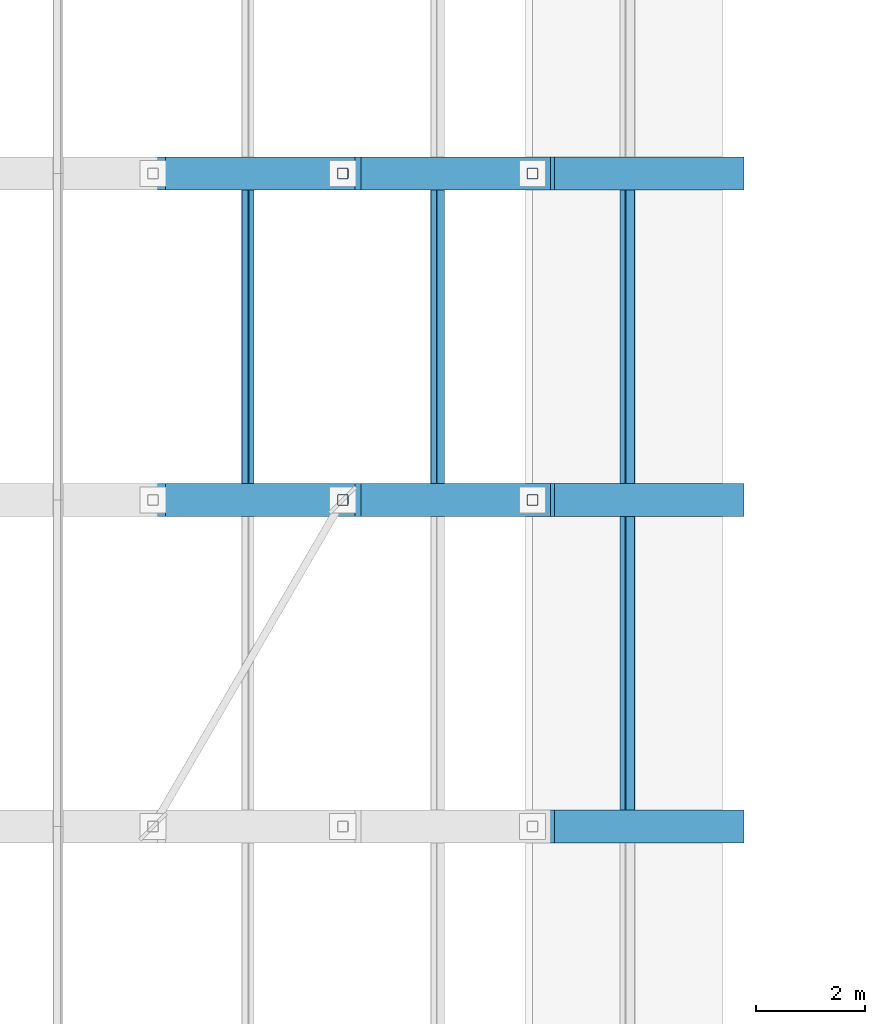
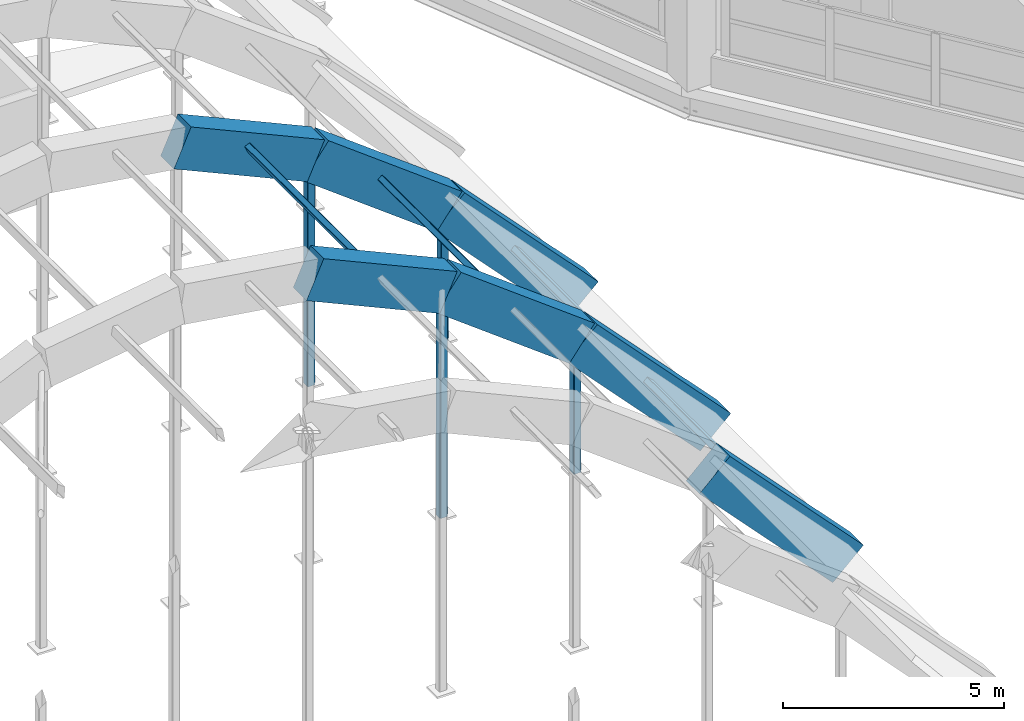
# One storey, part 4 of 88: 8 members, 7 beams.
"""IFC4 building model written with IfcOpenShell, lengths in metres."""

import ifcopenshell
import ifcopenshell.guid

model = None  # the IFC model being written
_history = None  # IfcOwnerHistory: only IFC2X3 demands one
_inside = {}  # id of a spatial element -> (the spatial element, [elements in it])
_under = {}  # id of a project, library or spatial element -> (it, [spatial elements below it])
_declared = {}  # id of a project -> (the project, [libraries it declares])
_typed = {}  # id of a type object -> (the type object, [elements of that type])
_made_of = {}  # id of a material, layer set ... -> (it, [elements and type objects made of it])


def new_model(schema):
    """Start an empty IFC model of exactly this schema.

    Asked for "IFC4X3", IfcOpenShell would pick the latest addendum, in which some entities
    have other attributes; the version numbers below select the first issue.
    IFC2X3 requires an IfcOwnerHistory on every rooted entity: one is made here for all.
    """
    global model, _history
    if schema == "IFC4X3":
        model = ifcopenshell.file(schema_version=(4, 3, 0, 0))
    else:
        model = ifcopenshell.file(schema=schema)
    _inside.clear()
    _under.clear()
    _declared.clear()
    _typed.clear()
    _made_of.clear()
    _history = None
    if model.schema == "IFC2X3":
        org = make("IfcOrganization", Name="unknown")
        user = make(
            "IfcPersonAndOrganization",
            ThePerson=make("IfcPerson", FamilyName="unknown"),
            TheOrganization=org,
        )
        app = make(
            "IfcApplication",
            ApplicationDeveloper=org,
            Version="unknown",
            ApplicationFullName="unknown",
            ApplicationIdentifier="unknown",
        )
        _history = make(
            "IfcOwnerHistory",
            OwningUser=user,
            OwningApplication=app,
            ChangeAction="ADDED",
            CreationDate=0,
        )
    return model


def make(cls, **values):
    """One entity of the class cls with the attributes given. An attribute that is None is left unset."""
    return model.create_entity(
        cls, **{name: value for name, value in values.items() if value is not None}
    )


def rooted(cls, **values):
    """An entity with a GlobalId (a new one), such as an element, a storey or a relation."""
    return make(cls, GlobalId=ifcopenshell.guid.new(), OwnerHistory=_history, **values)


def si_unit(unit_type, name, prefix=None):
    """IfcSIUnit, for example si_unit("LENGTHUNIT", "METRE", prefix="MILLI")."""
    return make("IfcSIUnit", UnitType=unit_type, Prefix=prefix, Name=name)


def assignment(units):
    """IfcUnitAssignment: the units of a project."""
    return None if units is None else make("IfcUnitAssignment", Units=units)


def point(xyz):
    """IfcCartesianPoint."""
    return None if xyz is None else make("IfcCartesianPoint", Coordinates=xyz)


def direction(xyz):
    """IfcDirection."""
    return None if xyz is None else make("IfcDirection", DirectionRatios=xyz)


def frame(location, z_axis=None, x_axis=None):
    """IfcAxis2Placement3D, a coordinate frame: its origin and axes. An axis left out is left unset."""
    return make(
        "IfcAxis2Placement3D",
        Location=point(location),
        Axis=direction(z_axis),
        RefDirection=direction(x_axis),
    )


def frame_2d(location, x_axis=None):
    """IfcAxis2Placement2D, a coordinate frame in the plane: its origin and x axis."""
    return make(
        "IfcAxis2Placement2D", Location=point(location), RefDirection=direction(x_axis)
    )


def origin():
    """The frame at (0, 0, 0) with its axes left unset."""
    return frame((0.0, 0.0, 0.0))


def origin_2d():
    """The frame at (0, 0) in the plane with its x axis left unset."""
    return frame_2d((0.0, 0.0))


def place(relative_to, where):
    """IfcLocalPlacement: puts the frame where relative to a parent placement (None: the world)."""
    return make(
        "IfcLocalPlacement", PlacementRelTo=relative_to, RelativePlacement=where
    )


def context(
    kind, dimensions, precision=None, world=None, true_north=None, identifier=None
):
    """IfcGeometricRepresentationContext, for example the 3D "Model" context."""
    return make(
        "IfcGeometricRepresentationContext",
        ContextIdentifier=identifier,
        ContextType=kind,
        CoordinateSpaceDimension=dimensions,
        Precision=precision,
        WorldCoordinateSystem=world,
        TrueNorth=true_north,
    )


def subcontext(parent, identifier, kind, view, scale=None):
    """IfcGeometricRepresentationSubContext, for example "Body" below "Model"."""
    return make(
        "IfcGeometricRepresentationSubContext",
        ContextIdentifier=identifier,
        ContextType=kind,
        ParentContext=parent,
        TargetScale=scale,
        TargetView=view,
    )


def project(units=None, contexts=None):
    """IfcProject with its units and contexts."""
    return rooted(
        "IfcProject",
        Name="project",
        RepresentationContexts=contexts,
        UnitsInContext=assignment(units),
    )


def spatial(cls, under=None, at=None, **own):
    """A site, building, storey or space (cls), placed at a placement, below another one or the project."""
    s = rooted(cls, ObjectPlacement=at, **own)
    if under is not None:
        _under.setdefault(under.id(), (under, []))[1].append(s)
    return s


def profile(cls, at=None, kind="AREA", **sizes):
    """A parametric profile (cls). Its sizes go by their IFC names, for example OverallWidth=200.0."""
    return make(cls, ProfileType=kind, Position=at, **sizes)


def rectangle(**sizes):
    """IfcRectangleProfileDef."""
    return profile("IfcRectangleProfileDef", **sizes)


def hollow_rectangle(**sizes):
    """IfcRectangleHollowProfileDef."""
    return profile("IfcRectangleHollowProfileDef", **sizes)


def extrude(swept, where, along, depth):
    """IfcExtrudedAreaSolid: the profile swept, set in the frame where, extruded along a direction by depth."""
    return make(
        "IfcExtrudedAreaSolid",
        SweptArea=swept,
        Position=where,
        ExtrudedDirection=direction(along),
        Depth=depth,
    )


def shape(context_of_items, identifier, shape_type, items):
    """IfcShapeRepresentation: the items that make up one representation, for example the "Body"."""
    return make(
        "IfcShapeRepresentation",
        ContextOfItems=context_of_items,
        RepresentationIdentifier=identifier,
        RepresentationType=shape_type,
        Items=items,
    )


def material(Name=None, Category=None):
    """IfcMaterial."""
    return make("IfcMaterial", Name=Name, Category=Category)


def material_profile(
    of_material, cross_section, Name=None, Category=None, Priority=None
):
    """IfcMaterialProfile: a cross section and its material."""
    return make(
        "IfcMaterialProfile",
        Name=Name,
        Material=of_material,
        Profile=cross_section,
        Priority=Priority,
        Category=Category,
    )


def profile_set(profiles, Name=None, composite=None):
    """IfcMaterialProfileSet."""
    return make(
        "IfcMaterialProfileSet",
        Name=Name,
        MaterialProfiles=profiles,
        CompositeProfile=composite,
    )


def made_of(thing, what):
    """Note that an element or type object is made of a material, layer set ...; save() writes the relation."""
    if what is not None:
        _made_of.setdefault(what.id(), (what, []))[1].append(thing)
    return thing


def type_object(cls, material=None, **own):
    """A type object (cls), such as IfcWallType, which elements share."""
    return made_of(rooted(cls, **own), material)


def element(
    cls,
    number,
    at=None,
    inside=None,
    cuts=None,
    type_object=None,
    material=None,
    context=None,
    identifier="Body",
    shape_type=None,
    held_by="IfcProductDefinitionShape",
    body=None,
    shapes=None,
    **own,
):
    """One element of the class cls, such as IfcWall. Its Tag is "e" and its number.

    at: its placement. inside: the storey or other place that contains it. cuts: it is an
    opening in that element (IfcRelVoidsElement). A single representation is given by context,
    identifier, shape_type and body (its items); several are given by shapes. held_by: the class
    of the entity that holds the representations. save() writes the other relations.
    """
    e = rooted(cls, Tag="e%d" % number, ObjectPlacement=at, **own)
    if body is not None:
        shapes = [shape(context, identifier, shape_type, body)]
    if shapes is not None:
        e.Representation = make(held_by, Representations=shapes)
    if inside is not None:
        _inside.setdefault(inside.id(), (inside, []))[1].append(e)
    if cuts is not None:
        rooted(
            "IfcRelVoidsElement", RelatingBuildingElement=cuts, RelatedOpeningElement=e
        )
    if type_object is not None:
        _typed.setdefault(type_object.id(), (type_object, []))[1].append(e)
    return made_of(e, material)


def aggregate(whole, parts):
    """IfcRelAggregates: a whole, such as a stair, and the parts it consists of."""
    return rooted("IfcRelAggregates", RelatingObject=whole, RelatedObjects=parts)


def save(model, path):
    """Write the relations noted so far, then the file.

    IfcRelAggregates (storeys below a building ...), IfcRelContainedInSpatialStructure (elements
    in a storey), IfcRelDefinesByType, IfcRelAssociatesMaterial and IfcRelDeclares: one each for
    every whole, place, type object, material and project.
    """
    for whole, parts in _under.values():
        aggregate(whole, parts)
    for where, things in _inside.values():
        rooted(
            "IfcRelContainedInSpatialStructure",
            RelatedElements=things,
            RelatingStructure=where,
        )
    for kind, things in _typed.values():
        rooted("IfcRelDefinesByType", RelatedObjects=things, RelatingType=kind)
    for what, things in _made_of.values():
        rooted("IfcRelAssociatesMaterial", RelatedObjects=things, RelatingMaterial=what)
    for by, libraries in _declared.values():
        rooted("IfcRelDeclares", RelatingContext=by, RelatedDefinitions=libraries)
    model.write(path)


model = new_model("IFC4")

# Units and contexts
model_context = context("Model", 3, precision=1e-05, world=origin(), true_north=direction((0.0, 1.0)))
body_context = subcontext(model_context, "Body", "Model", "MODEL_VIEW")
ifc_project = project(units=[si_unit("LENGTHUNIT", "METRE"), si_unit("AREAUNIT", "SQUARE_METRE"), si_unit("VOLUMEUNIT", "CUBIC_METRE"), si_unit("PLANEANGLEUNIT", "RADIAN"), si_unit("MASSUNIT", "GRAM", prefix="KILO")], contexts=[model_context])

# Site, building, storey
site_placement = place(None, origin())
site = spatial("IfcSite", under=ifc_project, at=site_placement, CompositionType="ELEMENT")
building_placement = place(site_placement, origin())
building = spatial("IfcBuilding", under=site, at=building_placement, Name="Vespera Passage Community Centre", CompositionType="ELEMENT")
storey_placement = place(building_placement, frame((0.0, 0.0, 16.5)))
storey = spatial("IfcBuildingStorey", under=building, at=storey_placement, Name="L04", CompositionType="ELEMENT", Elevation=16.5)

# Beams
ifc_material_1 = material(Name="Concrete f'c 45 MPa", Category="concrete")
ifc_material_profile_1 = material_profile(ifc_material_1, rectangle(XDim=0.60009765625, YDim=1.10009765625, at=origin_2d()), Name="RC600X1100")
ifc_profile_set_1 = profile_set([ifc_material_profile_1], Name="Concrete f'c 45 MPa")
beam_type = type_object("IfcBeamType", Name="BM-AR-600X1100", PredefinedType="USERDEFINED", material=ifc_profile_set_1)
beam_1_placement = place(storey_placement, frame((28.46240234375, 25.0, 3.125), z_axis=(0.688360568967, 0.0, -0.725368683561), x_axis=(0.0, 1.0, 0.0)))
element("IfcBeam", 1, at=beam_1_placement, inside=storey, type_object=beam_type, Name="Main Hall Barrel Vault Arch Rib AR4 Seg 8", ObjectType="ARCH RIB", PredefinedType="USERDEFINED", context=body_context, shape_type="SweptSolid", body=[
    extrude(rectangle(XDim=0.60009765625, YDim=1.10009765625, at=origin_2d()), origin(), (0.0, 0.0, 1.0), 5.06640625),
])
beam_2_placement = place(storey_placement, frame((21.487548828125, 31.0, 7.324951171875), z_axis=(0.911377547456, 0.0, -0.411571337672), x_axis=(0.0, 1.0, 0.0)))
element("IfcBeam", 2, at=beam_2_placement, inside=storey, type_object=beam_type, Name="Main Hall Barrel Vault Arch Rib AR5 Seg 6", ObjectType="ARCH RIB", PredefinedType="USERDEFINED", context=body_context, shape_type="SweptSolid", body=[
    extrude(rectangle(XDim=0.60009765625, YDim=1.10009765625, at=origin_2d()), origin(), (0.0, 0.0, 1.0), 3.82666015625),
])
beam_3_placement = place(storey_placement, frame((24.97509765625, 31.0, 5.75), z_axis=(0.798951709852, 0.0, -0.601395182325), x_axis=(0.0, 1.0, 0.0)))
element("IfcBeam", 3, at=beam_3_placement, inside=storey, type_object=beam_type, Name="Main Hall Barrel Vault Arch Rib AR5 Seg 7", ObjectType="ARCH RIB", PredefinedType="USERDEFINED", context=body_context, shape_type="SweptSolid", body=[
    extrude(rectangle(XDim=0.60009765625, YDim=1.10009765625, at=origin_2d()), origin(), (0.0, 0.0, 1.0), 4.36474609375),
])
beam_4_placement = place(storey_placement, frame((28.46240234375, 31.0, 3.125), z_axis=(0.688360568967, 0.0, -0.725368683561), x_axis=(0.0, 1.0, 0.0)))
element("IfcBeam", 4, at=beam_4_placement, inside=storey, type_object=beam_type, Name="Main Hall Barrel Vault Arch Rib AR5 Seg 8", ObjectType="ARCH RIB", PredefinedType="USERDEFINED", context=body_context, shape_type="SweptSolid", body=[
    extrude(rectangle(XDim=0.60009765625, YDim=1.10009765625, at=origin_2d()), origin(), (0.0, 0.0, 1.0), 5.06640625),
])
beam_5_placement = place(storey_placement, frame((21.487548828125, 37.0, 7.324951171875), z_axis=(0.911377547456, 0.0, -0.411571337672), x_axis=(0.0, 1.0, 0.0)))
element("IfcBeam", 5, at=beam_5_placement, inside=storey, type_object=beam_type, Name="Main Hall Barrel Vault Arch Rib AR6 Seg 6", ObjectType="ARCH RIB", PredefinedType="USERDEFINED", context=body_context, shape_type="SweptSolid", body=[
    extrude(rectangle(XDim=0.60009765625, YDim=1.10009765625, at=origin_2d()), origin(), (0.0, 0.0, 1.0), 3.82666015625),
])
beam_6_placement = place(storey_placement, frame((24.97509765625, 37.0, 5.75), z_axis=(0.798951709852, 0.0, -0.601395182325), x_axis=(0.0, 1.0, 0.0)))
element("IfcBeam", 6, at=beam_6_placement, inside=storey, type_object=beam_type, Name="Main Hall Barrel Vault Arch Rib AR6 Seg 7", ObjectType="ARCH RIB", PredefinedType="USERDEFINED", context=body_context, shape_type="SweptSolid", body=[
    extrude(rectangle(XDim=0.60009765625, YDim=1.10009765625, at=origin_2d()), origin(), (0.0, 0.0, 1.0), 4.36474609375),
])
beam_7_placement = place(storey_placement, frame((28.46240234375, 37.0, 3.125), z_axis=(0.688360568967, 0.0, -0.725368683561), x_axis=(0.0, 1.0, 0.0)))
element("IfcBeam", 7, at=beam_7_placement, inside=storey, type_object=beam_type, Name="Main Hall Barrel Vault Arch Rib AR6 Seg 8", ObjectType="ARCH RIB", PredefinedType="USERDEFINED", context=body_context, shape_type="SweptSolid", body=[
    extrude(rectangle(XDim=0.60009765625, YDim=1.10009765625, at=origin_2d()), origin(), (0.0, 0.0, 1.0), 5.06640625),
])

# Members
ifc_material_2 = material(Name="Steel ASTM A500 Grade C", Category="steel")
ifc_material_profile_2 = material_profile(ifc_material_2, hollow_rectangle(XDim=0.15234375, YDim=0.25390625, WallThickness=0.01171875, InnerFilletRadius=0.01171875, OuterFilletRadius=0.023681640625, at=origin_2d()), Name="HSS254X152X12.7")
ifc_profile_set_2 = profile_set([ifc_material_profile_2], Name="Steel ASTM A500 Grade C")
member_type_1 = type_object("IfcMemberType", Name="MB-PR-HSS254X152", PredefinedType="PURLIN", material=ifc_profile_set_2)
for number, where, z_axis, x_axis, name in (
    (8, (30.206298828125, 25.0, 1.46044921875), (0.0, 1.0, 0.0), (-0.688354575694, 0.0, -0.725374371012), "Main Hall Vault Purlin B4.8"),
    (9, (23.231201171875, 31.0, 6.71044921875), (0.0, 1.0, 0.0), (-0.911367361763, 0.0, -0.411593891978), "Main Hall Vault Purlin B5.6"),
    (10, (26.71875, 31.0, 4.610595703125), (0.0, 1.0, 0.0), (-0.798971502388, 0.0, -0.6013688871), "Main Hall Vault Purlin B5.7"),
    (11, (30.206298828125, 31.0, 1.46044921875), (0.0, 1.0, 0.0), (-0.688354575694, 0.0, -0.725374371012), "Main Hall Vault Purlin B5.8"),
):
    element("IfcMember", number, at=place(storey_placement, frame(where, z_axis=z_axis, x_axis=x_axis)), inside=storey, type_object=member_type_1, Name=name, PredefinedType="PURLIN", context=body_context, shape_type="SweptSolid", body=[
        extrude(hollow_rectangle(XDim=0.15234375, YDim=0.25390625, WallThickness=0.01171875, InnerFilletRadius=0.01171875, OuterFilletRadius=0.023681640625, at=origin_2d()), origin(), (0.0, 0.0, 1.0), 6.0),
    ])
ifc_material_3 = material(Name="Steel ASTM A500 Grade C", Category="steel")
ifc_material_profile_3 = material_profile(ifc_material_3, hollow_rectangle(XDim=0.203125, YDim=0.203125, WallThickness=0.01171875, InnerFilletRadius=0.01171875, OuterFilletRadius=0.023681640625, at=origin_2d()), Name="HSS203X203X12.7")
ifc_profile_set_3 = profile_set([ifc_material_profile_3], Name="Steel ASTM A500 Grade C")
member_type_2 = type_object("IfcMemberType", Name="SS-203", PredefinedType="STRUT", material=ifc_profile_set_3)
member_1_placement = place(storey_placement, frame((24.97509765625, 31.0, -0.58544921875), z_axis=(0.0, 0.0, 1.0), x_axis=(1.0, 0.0, 0.0)))
element("IfcMember", 12, at=member_1_placement, inside=storey, type_object=member_type_2, Name="Main Hall Arch Rib AR5 Bowstring Post 6", PredefinedType="STRUT", context=body_context, shape_type="SweptSolid", body=[
    extrude(hollow_rectangle(XDim=0.203125, YDim=0.203125, WallThickness=0.01171875, InnerFilletRadius=0.01171875, OuterFilletRadius=0.023681640625, at=origin_2d()), origin(), (0.0, 0.0, 1.0), 6.33544921875),
])
member_2_placement = place(storey_placement, frame((28.46240234375, 31.0, -0.58544921875), z_axis=(0.0, 0.0, 1.0), x_axis=(1.0, 0.0, 0.0)))
element("IfcMember", 13, at=member_2_placement, inside=storey, type_object=member_type_2, Name="Main Hall Arch Rib AR5 Bowstring Post 7", PredefinedType="STRUT", context=body_context, shape_type="SweptSolid", body=[
    extrude(hollow_rectangle(XDim=0.203125, YDim=0.203125, WallThickness=0.01171875, InnerFilletRadius=0.01171875, OuterFilletRadius=0.023681640625, at=origin_2d()), origin(), (0.0, 0.0, 1.0), 3.71044921875),
])
member_3_placement = place(storey_placement, frame((24.97509765625, 37.0, -0.58544921875), z_axis=(0.0, 0.0, 1.0), x_axis=(1.0, 0.0, 0.0)))
element("IfcMember", 14, at=member_3_placement, inside=storey, type_object=member_type_2, Name="Main Hall Arch Rib AR6 Bowstring Post 6", PredefinedType="STRUT", context=body_context, shape_type="SweptSolid", body=[
    extrude(hollow_rectangle(XDim=0.203125, YDim=0.203125, WallThickness=0.01171875, InnerFilletRadius=0.01171875, OuterFilletRadius=0.023681640625, at=origin_2d()), origin(), (0.0, 0.0, 1.0), 6.33544921875),
])
member_4_placement = place(storey_placement, frame((28.46240234375, 37.0, -0.58544921875), z_axis=(0.0, 0.0, 1.0), x_axis=(1.0, 0.0, 0.0)))
element("IfcMember", 15, at=member_4_placement, inside=storey, type_object=member_type_2, Name="Main Hall Arch Rib AR6 Bowstring Post 7", PredefinedType="STRUT", context=body_context, shape_type="SweptSolid", body=[
    extrude(hollow_rectangle(XDim=0.203125, YDim=0.203125, WallThickness=0.01171875, InnerFilletRadius=0.01171875, OuterFilletRadius=0.023681640625, at=origin_2d()), origin(), (0.0, 0.0, 1.0), 3.71044921875),
])

save(model, "model.ifc")
